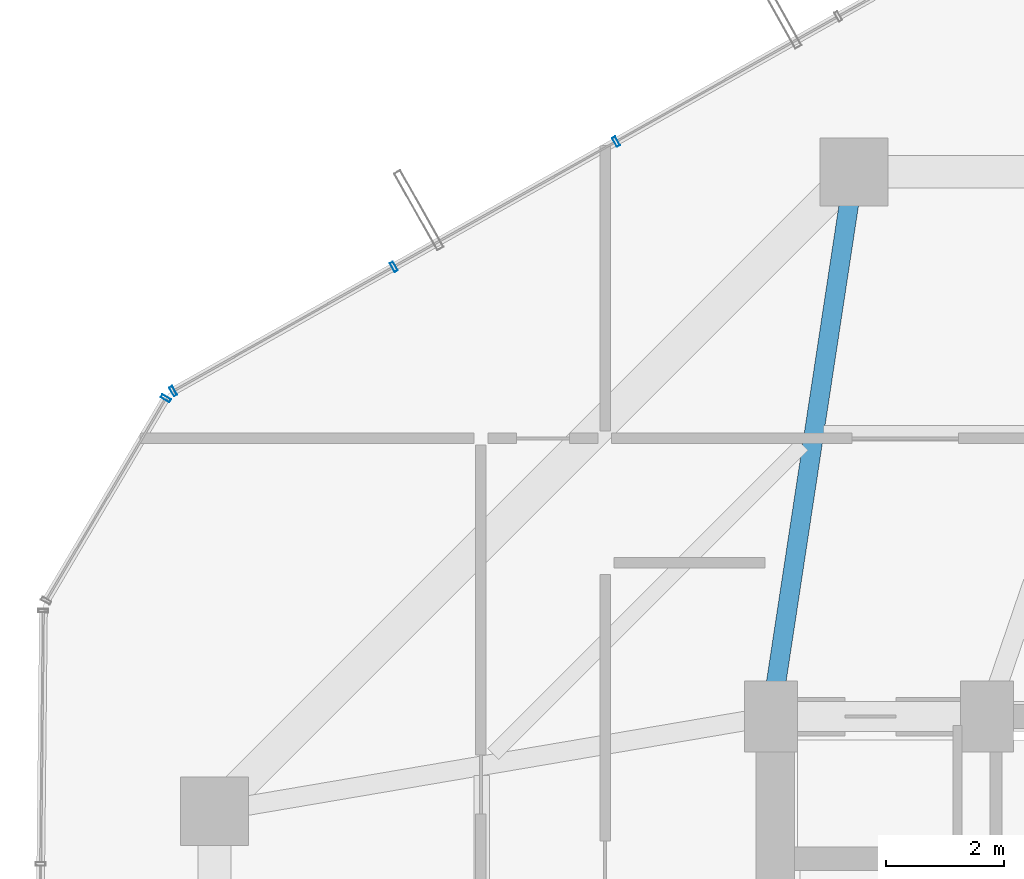
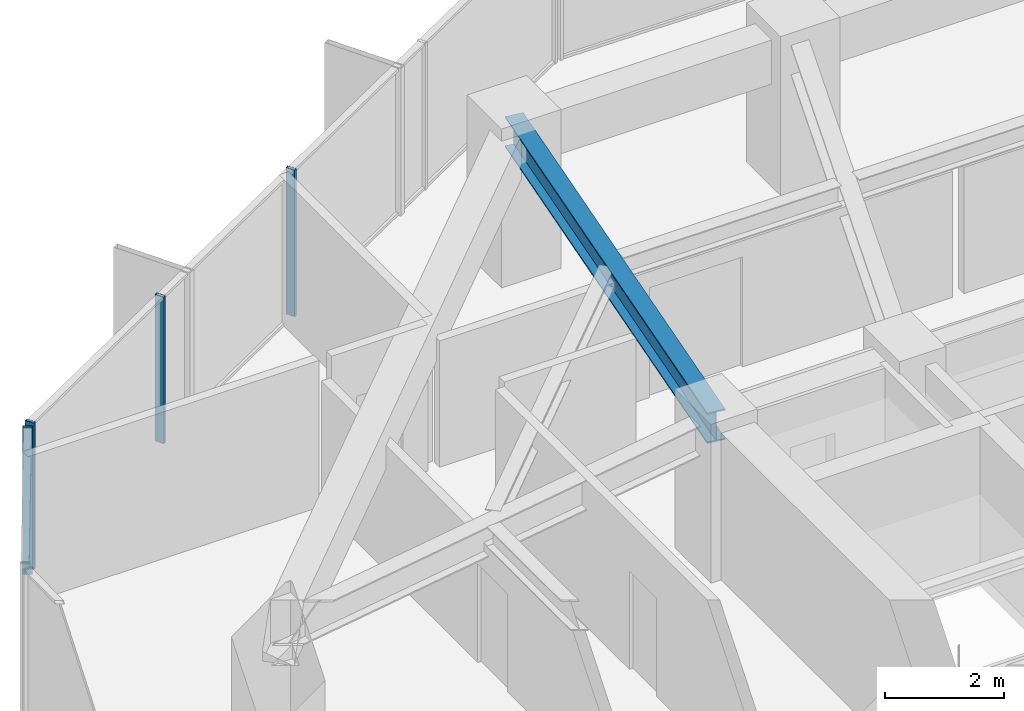
# One storey, part 17 of 30: 4 members, 1 beam, 2 elements without a shape of their own.
"""IFC4 building model written with IfcOpenShell, lengths in metres."""

from ifc_helpers import new_model, si_unit, direction, frame, origin, origin_2d, place, context, subcontext, project, spatial, hollow_rectangle, i_section, extrude, source, transform, mapped, material, layer, layer_set, material_profile, profile_set, type_object, element, aggregate, save


model = new_model("IFC4")

# Units and contexts
model_context = context("Model", 3, precision=1e-05, world=origin(), true_north=direction((0.0, 1.0)))
body_context = subcontext(model_context, "Body", "Model", "MODEL_VIEW")
ifc_project = project(units=[si_unit("LENGTHUNIT", "METRE"), si_unit("AREAUNIT", "SQUARE_METRE"), si_unit("VOLUMEUNIT", "CUBIC_METRE"), si_unit("PLANEANGLEUNIT", "RADIAN"), si_unit("MASSUNIT", "GRAM", prefix="KILO")], contexts=[model_context])

# Site, building, storey
site_placement = place(None, origin())
site = spatial("IfcSite", under=ifc_project, at=site_placement, CompositionType="ELEMENT")
building_placement = place(site_placement, origin())
building = spatial("IfcBuilding", under=site, at=building_placement, Name="Veraguas Prism Commons", CompositionType="ELEMENT")
storey_placement = place(building_placement, frame((0.0, 0.0, 126.25)))
storey = spatial("IfcBuildingStorey", under=building, at=storey_placement, Name="L35", CompositionType="ELEMENT", Elevation=126.25)

# Beam
ifc_material_1 = material(Name="Steel ASTM A992 Grade 50", Category="steel")
ifc_material_profile_1 = material_profile(ifc_material_1, i_section(OverallWidth=0.327880859375, OverallDepth=0.6220703125, WebThickness=0.015380859375, FlangeThickness=0.0244140625, at=origin_2d()), Name="W610X195")
ifc_profile_set_1 = profile_set([ifc_material_profile_1], Name="Steel ASTM A992 Grade 50")
beam_type = type_object("IfcBeamType", Name="Zone 2 Radial Girder W610x195", PredefinedType="BEAM", material=ifc_profile_set_1)
beam_placement = place(storey_placement, frame((18.60009765625, 40.199951171875, 2.68896484375), z_axis=(-0.150458162136, -0.98861637729, 0.0), x_axis=(0.98861637729, -0.150458162136, 0.0)))
element("IfcBeam", 1, at=beam_placement, inside=storey, type_object=beam_type, Name="Radial Floor Girder L35-RD06", PredefinedType="BEAM", context=body_context, shape_type="SweptSolid", body=[
    extrude(i_section(OverallWidth=0.327880859375, OverallDepth=0.6220703125, WebThickness=0.015380859375, FlangeThickness=0.0244140625, at=origin_2d()), origin(), (0.0, 0.0, 1.0), 9.305908203125),
])

# Curtain wall, members
ifc_material_2 = material(Name="Anodised aluminium EN AW-6063 T6", Category="aluminium")
ifc_layer = layer(ifc_material_2, 0.169921875, Name="Unitised Flush Curtain Wall Zone 2", Category="aluminium")
ifc_layer_set = layer_set([ifc_layer], Name="Anodised aluminium EN AW-6063 T6")
curtain_wall_type = type_object("IfcCurtainWallType", Name="Unitised Flush Curtain Wall Zone 2", PredefinedType="NOTDEFINED", material=ifc_layer_set)
curtain_wall_1_placement = place(storey_placement, origin())
curtain_wall_1 = element("IfcCurtainWall", 2, at=curtain_wall_1_placement, inside=storey, type_object=curtain_wall_type, Name="Tower Facade Curtain Wall L35-F2", PredefinedType="NOTDEFINED")
ifc_material_profile_2 = material_profile(ifc_material_2, hollow_rectangle(XDim=0.06005859375, YDim=0.169921875, WallThickness=0.00390625, at=origin_2d()), Name="AL60X170X4")
ifc_profile_set_2 = profile_set([ifc_material_profile_2], Name="Anodised aluminium EN AW-6063 T6")
member_type = type_object("IfcMemberType", Name="Curtain Wall Mullion Lower AL 60x170x4", PredefinedType="MULLION", material=ifc_profile_set_2)
shared_shape = source(origin(), body_context, "Body", "SweptSolid", [
    extrude(hollow_rectangle(XDim=0.06005859375, YDim=0.169921875, WallThickness=0.00390625, at=origin_2d()), origin(), (0.0, 0.0, 1.0), 3.0),
])
member_1_placement = place(storey_placement, frame((14.583251953125, 40.712158203125, 0.0), z_axis=(0.0, 0.0, 1.0), x_axis=(-0.871214667908, -0.490902233059, 0.0)))
member_1 = element("IfcMember", 3, at=member_1_placement, type_object=member_type, Name="CW-Z2 Mullion 3", PredefinedType="MULLION", context=body_context, shape_type="MappedRepresentation", body=[
    mapped(shared_shape, transform((0.0, 0.0, 0.0), scale=1.0)),
])
member_2_placement = place(storey_placement, frame((10.82958984375, 38.596923828125, 0.0), z_axis=(0.0, 0.0, 1.0), x_axis=(-0.871214667908, -0.490902233059, 0.0)))
member_2 = element("IfcMember", 4, at=member_2_placement, type_object=member_type, Name="CW-Z2 Mullion 4", PredefinedType="MULLION", context=body_context, shape_type="MappedRepresentation", body=[
    mapped(shared_shape, transform((0.0, 0.0, 0.0), scale=1.0)),
])
member_3_placement = place(storey_placement, frame((7.10205078125, 36.49658203125, 0.0), z_axis=(0.0, 0.0, 1.0), x_axis=(-0.871214667908, -0.490902233059, 0.0)))
member_3 = element("IfcMember", 5, at=member_3_placement, type_object=member_type, Name="CW-Z2 Mullion 5", PredefinedType="MULLION", context=body_context, shape_type="MappedRepresentation", body=[
    mapped(shared_shape, transform((0.0, 0.0, 0.0), scale=1.0)),
])
aggregate(curtain_wall_1, [member_1, member_2, member_3])

# Curtain wall, member
curtain_wall_2_placement = place(storey_placement, origin())
curtain_wall_2 = element("IfcCurtainWall", 6, at=curtain_wall_2_placement, inside=storey, type_object=curtain_wall_type, Name="Chamfer Curtain Wall L35-C3", PredefinedType="NOTDEFINED")
member_4_placement = place(storey_placement, frame((6.977783203125, 36.375, 0.0), z_axis=(0.0, 0.0, 1.0), x_axis=(-0.50904141575, -0.860742027004, 0.0)))
member_4 = element("IfcMember", 7, at=member_4_placement, type_object=member_type, Name="CW-Z2 Mullion 1", PredefinedType="MULLION", context=body_context, shape_type="MappedRepresentation", body=[
    mapped(shared_shape, transform((0.0, 0.0, 0.0), scale=1.0)),
])
aggregate(curtain_wall_2, [member_4])

save(model, "model.ifc")
